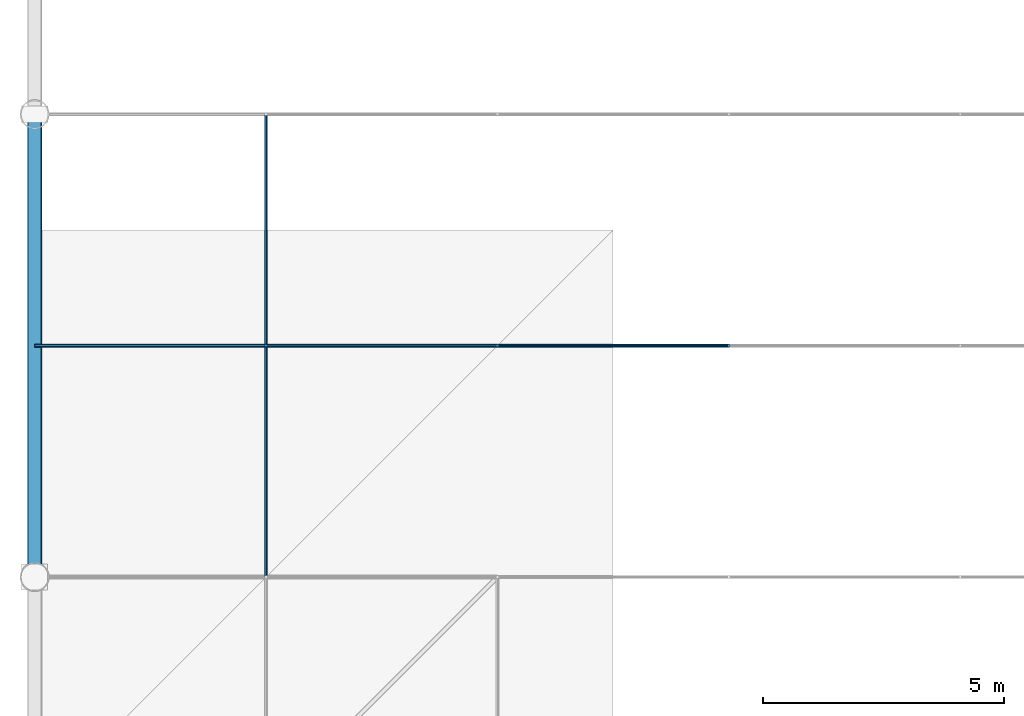
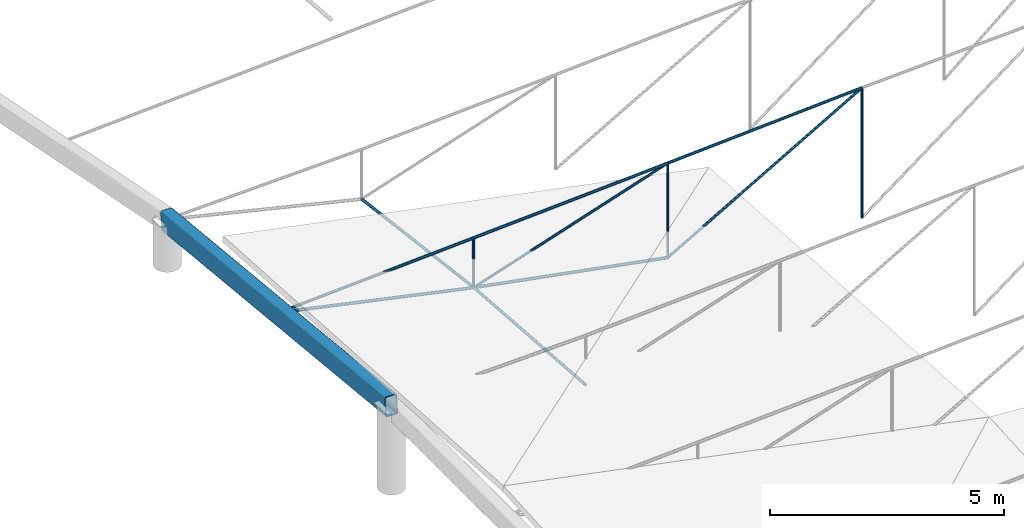
# One storey, part 21 of 50: 12 members, 1 beam.
"""IFC4 building model written with IfcOpenShell, lengths in metres."""

from ifc_helpers import new_model, si_unit, direction, frame, origin, origin_2d, place, context, subcontext, project, spatial, hollow_rectangle, circle, extrude, material, material_profile, profile_set, type_object, element, save


model = new_model("IFC4")

# Units and contexts
model_context = context("Model", 3, precision=1e-05, world=origin(), true_north=direction((0.0, 1.0)))
body_context = subcontext(model_context, "Body", "Model", "MODEL_VIEW")
ifc_project = project(units=[si_unit("LENGTHUNIT", "METRE"), si_unit("AREAUNIT", "SQUARE_METRE"), si_unit("VOLUMEUNIT", "CUBIC_METRE"), si_unit("PLANEANGLEUNIT", "RADIAN"), si_unit("MASSUNIT", "GRAM", prefix="KILO")], contexts=[model_context])

# Site, building, storey
site_placement = place(None, origin())
site = spatial("IfcSite", under=ifc_project, at=site_placement, CompositionType="ELEMENT")
building_placement = place(site_placement, origin())
building = spatial("IfcBuilding", under=site, at=building_placement, Name="Zevrakil Square Congress Hotel", CompositionType="ELEMENT")
storey_placement = place(building_placement, frame((0.0, 0.0, 21.5)))
storey = spatial("IfcBuildingStorey", under=building, at=storey_placement, Name="L06", CompositionType="ELEMENT", Elevation=21.5)

# Members
ifc_material_1 = material(Name="Steel S355", Category="steel")
ifc_material_profile_1 = material_profile(ifc_material_1, circle(Radius=0.030029296875, at=origin_2d()), Name="CABLE RD60")
ifc_profile_set_1 = profile_set([ifc_material_profile_1], Name="Steel S355")
member_type_1 = type_object("IfcMemberType", Name="MEM-CABLE-RD60", PredefinedType="USERDEFINED", material=ifc_profile_set_1)
member_1_placement = place(storey_placement, frame((122.39990234375, 98.39990234375, 0.617919921875), z_axis=(0.0, 0.0, 1.0), x_axis=(1.0, 0.0, 0.0)))
element("IfcMember", 1, at=member_1_placement, inside=storey, type_object=member_type_1, Name="Congress cable-truss vertical tie CBW-07-1", ObjectType="ROOF CABLE", PredefinedType="USERDEFINED", context=body_context, shape_type="SweptSolid", body=[
    extrude(circle(Radius=0.030029296875, at=origin_2d()), origin(), (0.0, 0.0, 1.0), 1.298095703125),
])
member_2_placement = place(storey_placement, frame((122.39990234375, 98.39990234375, 0.617919921875), z_axis=(0.95029004287, 0.0, 0.311366077828), x_axis=(0.0, 1.0, 0.0)))
element("IfcMember", 2, at=member_2_placement, inside=storey, type_object=member_type_1, Name="Congress cable-truss web diagonal CBD-07-2", ObjectType="ROOF CABLE", PredefinedType="USERDEFINED", context=body_context, shape_type="SweptSolid", body=[
    extrude(circle(Radius=0.030029296875, at=origin_2d()), origin(), (0.0, 0.0, 1.0), 5.051025390625),
])
member_3_placement = place(storey_placement, frame((127.199951171875, 98.39990234375, -0.278076171875), z_axis=(0.0, 0.0, 1.0), x_axis=(1.0, 0.0, 0.0)))
element("IfcMember", 3, at=member_3_placement, inside=storey, type_object=member_type_1, Name="Congress cable-truss vertical tie CBW-07-2", ObjectType="ROOF CABLE", PredefinedType="USERDEFINED", context=body_context, shape_type="SweptSolid", body=[
    extrude(circle(Radius=0.030029296875, at=origin_2d()), origin(), (0.0, 0.0, 1.0), 2.46875),
])
member_4_placement = place(storey_placement, frame((127.199951171875, 98.39990234375, -0.278076171875), z_axis=(0.867060147467, 0.0, 0.498203473167), x_axis=(0.0, 1.0, 0.0)))
element("IfcMember", 4, at=member_4_placement, inside=storey, type_object=member_type_1, Name="Congress cable-truss web diagonal CBD-07-3", ObjectType="ROOF CABLE", PredefinedType="USERDEFINED", context=body_context, shape_type="SweptSolid", body=[
    extrude(circle(Radius=0.030029296875, at=origin_2d()), origin(), (0.0, 0.0, 1.0), 5.535888671875),
])
member_5_placement = place(storey_placement, frame((132.0, 98.39990234375, -0.91796875), z_axis=(0.0, 0.0, 1.0), x_axis=(1.0, 0.0, 0.0)))
element("IfcMember", 5, at=member_5_placement, inside=storey, type_object=member_type_1, Name="Congress cable-truss vertical tie CBW-07-3", ObjectType="ROOF CABLE", PredefinedType="USERDEFINED", context=body_context, shape_type="SweptSolid", body=[
    extrude(circle(Radius=0.030029296875, at=origin_2d()), origin(), (0.0, 0.0, 1.0), 3.39794921875),
])
ifc_material_2 = material(Name="Steel S355", Category="steel")
ifc_material_profile_2 = material_profile(ifc_material_2, circle(Radius=0.033935546875, at=origin_2d()), Name="CABLE RD68")
ifc_profile_set_2 = profile_set([ifc_material_profile_2], Name="Steel S355")
member_type_2 = type_object("IfcMemberType", Name="MEM-CABLE-RD68", PredefinedType="USERDEFINED", material=ifc_profile_set_2)
member_6_placement = place(storey_placement, frame((122.39990234375, 93.60009765625, 0.988037109375), z_axis=(0.0, 0.997197418128, -0.074815167433), x_axis=(-1.0, 0.0, 0.0)))
element("IfcMember", 6, at=member_6_placement, inside=storey, type_object=member_type_2, Name="Congress saddle stabilizing cable CBH-01 seg 7", ObjectType="ROOF CABLE", PredefinedType="USERDEFINED", context=body_context, shape_type="SweptSolid", body=[
    extrude(circle(Radius=0.033935546875, at=origin_2d()), origin(), (0.0, 0.0, 1.0), 4.813232421875),
])
member_7_placement = place(storey_placement, frame((122.39990234375, 98.39990234375, 0.6279296875), z_axis=(0.0, 0.9922817585, -0.124003676346), x_axis=(-1.0, 0.0, 0.0)))
element("IfcMember", 7, at=member_7_placement, inside=storey, type_object=member_type_2, Name="Congress saddle stabilizing cable CBH-01 seg 8", ObjectType="ROOF CABLE", PredefinedType="USERDEFINED", context=body_context, shape_type="SweptSolid", body=[
    extrude(circle(Radius=0.033935546875, at=origin_2d()), origin(), (0.0, 0.0, 1.0), 4.83740234375),
])
member_8_placement = place(storey_placement, frame((117.60009765625, 98.39990234375, 1.64990234375), z_axis=(0.998466597537, 0.0, 0.055357507188), x_axis=(0.0, 1.0, 0.0)))
element("IfcMember", 8, at=member_8_placement, inside=storey, type_object=member_type_2, Name="Congress lenticular upper cable chord CBU-07 seg 1", ObjectType="ROOF CABLE", PredefinedType="USERDEFINED", context=body_context, shape_type="SweptSolid", body=[
    extrude(circle(Radius=0.033935546875, at=origin_2d()), origin(), (0.0, 0.0, 1.0), 4.80712890625),
])
member_9_placement = place(storey_placement, frame((122.39990234375, 98.39990234375, 1.916015625), z_axis=(0.99836695184, 0.0, 0.057126434099), x_axis=(0.0, 1.0, 0.0)))
element("IfcMember", 9, at=member_9_placement, inside=storey, type_object=member_type_2, Name="Congress lenticular upper cable chord CBU-07 seg 2", ObjectType="ROOF CABLE", PredefinedType="USERDEFINED", context=body_context, shape_type="SweptSolid", body=[
    extrude(circle(Radius=0.033935546875, at=origin_2d()), origin(), (0.0, 0.0, 1.0), 4.807861328125),
])
member_10_placement = place(storey_placement, frame((127.199951171875, 98.39990234375, 2.190673828125), z_axis=(0.998188600561, 0.0, 0.060162427733), x_axis=(0.0, 1.0, 0.0)))
element("IfcMember", 10, at=member_10_placement, inside=storey, type_object=member_type_2, Name="Congress lenticular upper cable chord CBU-07 seg 3", ObjectType="ROOF CABLE", PredefinedType="USERDEFINED", context=body_context, shape_type="SweptSolid", body=[
    extrude(circle(Radius=0.033935546875, at=origin_2d()), origin(), (0.0, 0.0, 1.0), 4.808837890625),
])
ifc_material_3 = material(Name="Steel S355", Category="steel")
ifc_material_profile_3 = material_profile(ifc_material_3, circle(Radius=0.0380859375, at=origin_2d()), Name="CABLE RD76")
ifc_profile_set_3 = profile_set([ifc_material_profile_3], Name="Steel S355")
member_type_3 = type_object("IfcMemberType", Name="MEM-CABLE-RD76", PredefinedType="USERDEFINED", material=ifc_profile_set_3)
member_11_placement = place(storey_placement, frame((117.60009765625, 98.39990234375, 1.64990234375), z_axis=(0.977658092129, 0.0, -0.210201462636), x_axis=(0.0, 1.0, 0.0)))
element("IfcMember", 11, at=member_11_placement, inside=storey, type_object=member_type_3, Name="Congress saddle carrying cable CBS-07 seg 1", ObjectType="ROOF CABLE", PredefinedType="USERDEFINED", context=body_context, shape_type="SweptSolid", body=[
    extrude(circle(Radius=0.0380859375, at=origin_2d()), origin(), (0.0, 0.0, 1.0), 4.909423828125),
])
member_12_placement = place(storey_placement, frame((122.39990234375, 98.39990234375, 0.617919921875), z_axis=(0.983020729765, 0.0, -0.183494536302), x_axis=(0.0, 1.0, 0.0)))
element("IfcMember", 12, at=member_12_placement, inside=storey, type_object=member_type_3, Name="Congress saddle carrying cable CBS-07 seg 2", ObjectType="ROOF CABLE", PredefinedType="USERDEFINED", context=body_context, shape_type="SweptSolid", body=[
    extrude(circle(Radius=0.0380859375, at=origin_2d()), origin(), (0.0, 0.0, 1.0), 4.883056640625),
])

# Beam
ifc_material_4 = material(Name="Steel S355", Category="steel")
ifc_material_profile_4 = material_profile(ifc_material_4, hollow_rectangle(XDim=0.300048828125, YDim=0.5, WallThickness=0.02001953125, InnerFilletRadius=0.02001953125, OuterFilletRadius=0.0400390625, at=origin_2d()), Name="RHS 500x300x20")
ifc_profile_set_4 = profile_set([ifc_material_profile_4], Name="Steel S355")
beam_type = type_object("IfcBeamType", Name="RNG-RHS500", PredefinedType="USERDEFINED", material=ifc_profile_set_4)
beam_placement = place(storey_placement, frame((117.60009765625, 103.199951171875, 1.169921875), z_axis=(0.0, -0.995037440756, 0.099501213526), x_axis=(1.0, 0.0, 0.0)))
element("IfcBeam", 13, at=beam_placement, inside=storey, type_object=beam_type, Name="Congress Hall compression ring beam RB-17", ObjectType="RING BEAM", PredefinedType="USERDEFINED", context=body_context, shape_type="SweptSolid", body=[
    extrude(hollow_rectangle(XDim=0.300048828125, YDim=0.5, WallThickness=0.02001953125, InnerFilletRadius=0.02001953125, OuterFilletRadius=0.0400390625, at=origin_2d()), origin(), (0.0, 0.0, 1.0), 9.647705078125),
])

save(model, "model.ifc")
